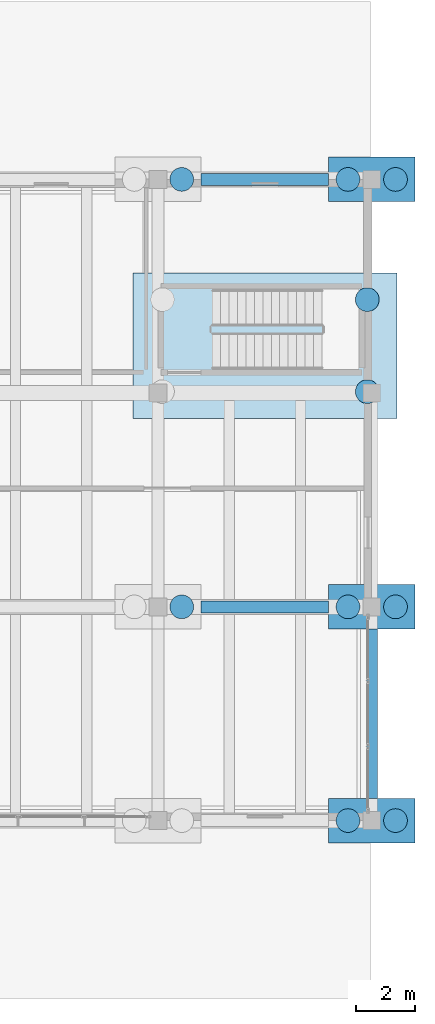
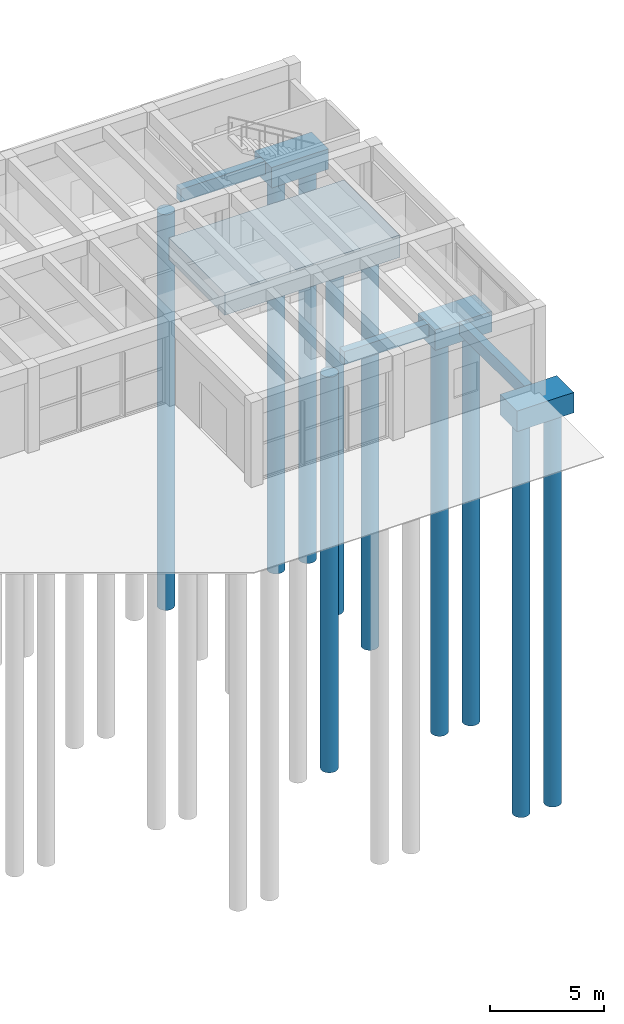
# One storey, part 4 of 155: 10 piles, 7 footings.
"""IFC4 building model written with IfcOpenShell, lengths in metres."""

from ifc_helpers import new_model, si_unit, direction, frame, origin, origin_2d, place, context, subcontext, project, spatial, rectangle, circle, extrude, material, material_profile, profile_set, type_object, element, save


model = new_model("IFC4")

# Units and contexts
model_context = context("Model", 3, precision=1e-05, world=origin(), true_north=direction((0.0, 1.0)))
body_context = subcontext(model_context, "Body", "Model", "MODEL_VIEW")
ifc_project = project(units=[si_unit("LENGTHUNIT", "METRE"), si_unit("AREAUNIT", "SQUARE_METRE"), si_unit("VOLUMEUNIT", "CUBIC_METRE"), si_unit("PLANEANGLEUNIT", "RADIAN"), si_unit("MASSUNIT", "GRAM", prefix="KILO")], contexts=[model_context])

# Site, building, storey
site_placement = place(None, origin())
site = spatial("IfcSite", under=ifc_project, at=site_placement, CompositionType="ELEMENT")
building_placement = place(site_placement, origin())
building = spatial("IfcBuilding", under=site, at=building_placement, Name="Bramvelor Terrace Health Centre", CompositionType="ELEMENT")
storey_placement = place(building_placement, origin())
storey = spatial("IfcBuildingStorey", under=building, at=storey_placement, Name="L01", CompositionType="ELEMENT", Elevation=0.0)

# Footings
ifc_material_1 = material(Name="Concrete C40/50", Category="concrete")
ifc_material_profile_1 = material_profile(ifc_material_1, rectangle(XDim=0.39990234375, YDim=0.699951171875, at=origin_2d()), Name="RC 400x700")
ifc_profile_set_1 = profile_set([ifc_material_profile_1], Name="Concrete C40/50")
footing_type_1 = type_object("IfcFootingType", Name="FTG-FB-400x700", PredefinedType="FOOTING_BEAM", material=ifc_profile_set_1)
for number, where, z_axis, x_axis, name in (
    (1, (159.85009765625, 50.39990234375, -0.60009765625), (1.0, 0.0, 0.0), (0.0, 1.0, 0.0), "L01 Ground Tie Beam X (158.4, 50.4)"),
    (2, (159.85009765625, 64.800048828125, -0.60009765625), (1.0, 0.0, 0.0), (0.0, 1.0, 0.0), "L01 Ground Tie Beam X (158.4, 64.8)"),
):
    element("IfcFooting", number, at=place(storey_placement, frame(where, z_axis=z_axis, x_axis=x_axis)), inside=storey, type_object=footing_type_1, Name=name, PredefinedType="FOOTING_BEAM", context=body_context, shape_type="SweptSolid", body=[
        extrude(rectangle(XDim=0.39990234375, YDim=0.699951171875, at=origin_2d()), origin(), (0.0, 0.0, 1.0), 4.2998046875),
    ])
footing_1_placement = place(storey_placement, frame((165.60009765625, 43.949951171875, -0.60009765625), z_axis=(0.0, 1.0, 0.0), x_axis=(-1.0, 0.0, 0.0)))
element("IfcFooting", 3, at=footing_1_placement, inside=storey, type_object=footing_type_1, Name="L01 Ground Tie Beam Y (165.6, 43.2)", PredefinedType="FOOTING_BEAM", context=body_context, shape_type="SweptSolid", body=[
    extrude(rectangle(XDim=0.39990234375, YDim=0.699951171875, at=origin_2d()), origin(), (0.0, 0.0, 1.0), 5.699951171875),
])
ifc_material_2 = material(Name="Concrete C40/50", Category="concrete")
footing_type_2 = type_object("IfcFootingType", Name="FTG-PC-2PX-800", PredefinedType="PILE_CAP", material=ifc_material_2)
for number, where, z_axis, x_axis, name in (
    (4, (165.60009765625, 43.199951171875, -1.35009765625), (0.0, 0.0, 1.0), (1.0, 0.0, 0.0), "L01 Pile Cap (165.6, 43.2)"),
    (5, (165.60009765625, 50.39990234375, -1.35009765625), (0.0, 0.0, 1.0), (1.0, 0.0, 0.0), "L01 Pile Cap (165.6, 50.4)"),
    (6, (165.60009765625, 64.800048828125, -1.35009765625), (0.0, 0.0, 1.0), (1.0, 0.0, 0.0), "L01 Pile Cap (165.6, 64.8)"),
):
    element("IfcFooting", number, at=place(storey_placement, frame(where, z_axis=z_axis, x_axis=x_axis)), inside=storey, type_object=footing_type_2, Name=name, PredefinedType="PILE_CAP", context=body_context, shape_type="SweptSolid", body=[
        extrude(rectangle(XDim=2.89990234375, YDim=1.5, at=origin_2d()), origin(), (0.0, 0.0, 1.0), 1.10009765625),
    ])
ifc_material_3 = material(Name="Concrete C40/50", Category="concrete")
footing_type_3 = type_object("IfcFootingType", Name="FTG-PC-STR-S7", PredefinedType="PILE_CAP", material=ifc_material_3)
footing_2_placement = place(storey_placement, frame((162.0, 59.199951171875, -1.4501953125), z_axis=(0.0, 0.0, 1.0), x_axis=(1.0, 0.0, 0.0)))
element("IfcFooting", 7, at=footing_2_placement, inside=storey, type_object=footing_type_3, Name="ST-7 Stair Shaft Pile Cap", PredefinedType="PILE_CAP", context=body_context, shape_type="SweptSolid", body=[
    extrude(rectangle(XDim=8.89990234375, YDim=4.89990234375, at=origin_2d()), origin(), (0.0, 0.0, 1.0), 1.199951171875),
])

# Piles
ifc_material_4 = material(Name="Concrete C40/50", Category="concrete")
ifc_material_profile_2 = material_profile(ifc_material_4, circle(Radius=0.39990234375, at=origin_2d()), Name="BP D800")
ifc_profile_set_2 = profile_set([ifc_material_profile_2], Name="Concrete C40/50")
pile_type = type_object("IfcPileType", Name="PILE-BP-800", PredefinedType="BORED", material=ifc_profile_set_2)
for number, where, z_axis, x_axis, name in (
    (8, (165.449951171875, 57.64990234375, -1.330078125), (0.0, 0.0, -1.0), (1.0, 0.0, 0.0), "ST-7 Bored Pile 2"),
    (9, (165.449951171875, 60.75, -1.330078125), (0.0, 0.0, -1.0), (1.0, 0.0, 0.0), "ST-7 Bored Pile 4"),
):
    element("IfcPile", number, at=place(storey_placement, frame(where, z_axis=z_axis, x_axis=x_axis)), inside=storey, type_object=pile_type, Name=name, PredefinedType="BORED", context=body_context, shape_type="SweptSolid", body=[
        extrude(circle(Radius=0.39990234375, at=origin_2d()), origin(), (0.0, 0.0, 1.0), 21.169921875),
    ])
for number, where, z_axis, x_axis, name in (
    (10, (159.199951171875, 50.39990234375, -1.22998046875), (0.0, 0.0, -1.0), (1.0, 0.0, 0.0), "L01 Bored Pile (159.2, 50.4)"),
    (11, (159.199951171875, 64.800048828125, -1.22998046875), (0.0, 0.0, -1.0), (1.0, 0.0, 0.0), "L01 Bored Pile (159.2, 64.8)"),
    (12, (164.800048828125, 43.199951171875, -1.22998046875), (0.0, 0.0, -1.0), (1.0, 0.0, 0.0), "L01 Bored Pile (164.8, 43.2)"),
    (13, (166.39990234375, 43.199951171875, -1.22998046875), (0.0, 0.0, -1.0), (1.0, 0.0, 0.0), "L01 Bored Pile (166.4, 43.2)"),
    (14, (164.800048828125, 50.39990234375, -1.22998046875), (0.0, 0.0, -1.0), (1.0, 0.0, 0.0), "L01 Bored Pile (164.8, 50.4)"),
    (15, (166.39990234375, 50.39990234375, -1.22998046875), (0.0, 0.0, -1.0), (1.0, 0.0, 0.0), "L01 Bored Pile (166.4, 50.4)"),
    (16, (164.800048828125, 64.800048828125, -1.22998046875), (0.0, 0.0, -1.0), (1.0, 0.0, 0.0), "L01 Bored Pile (164.8, 64.8)"),
    (17, (166.39990234375, 64.800048828125, -1.22998046875), (0.0, 0.0, -1.0), (1.0, 0.0, 0.0), "L01 Bored Pile (166.4, 64.8)"),
):
    element("IfcPile", number, at=place(storey_placement, frame(where, z_axis=z_axis, x_axis=x_axis)), inside=storey, type_object=pile_type, Name=name, PredefinedType="BORED", context=body_context, shape_type="SweptSolid", body=[
        extrude(circle(Radius=0.39990234375, at=origin_2d()), origin(), (0.0, 0.0, 1.0), 21.27001953125),
    ])

save(model, "model.ifc")
